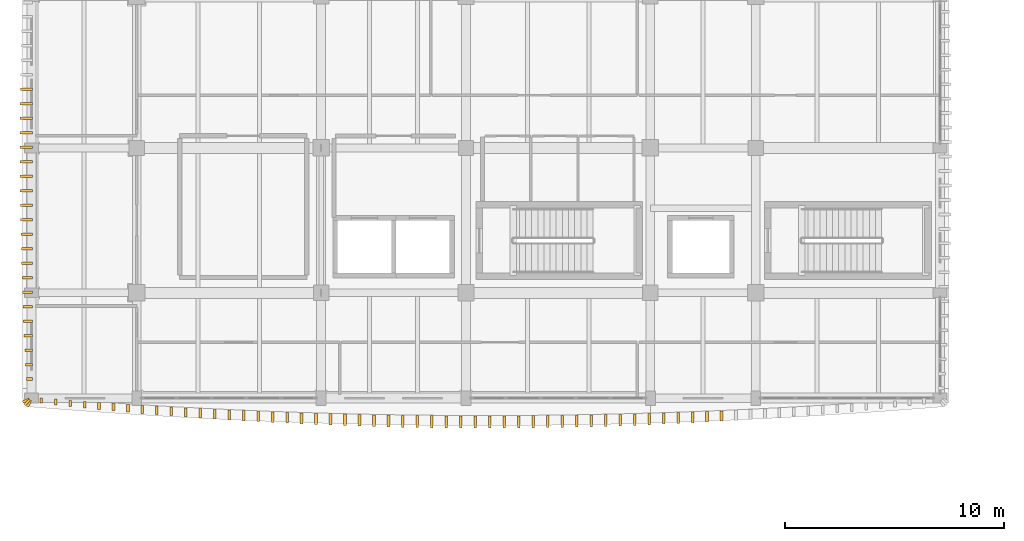
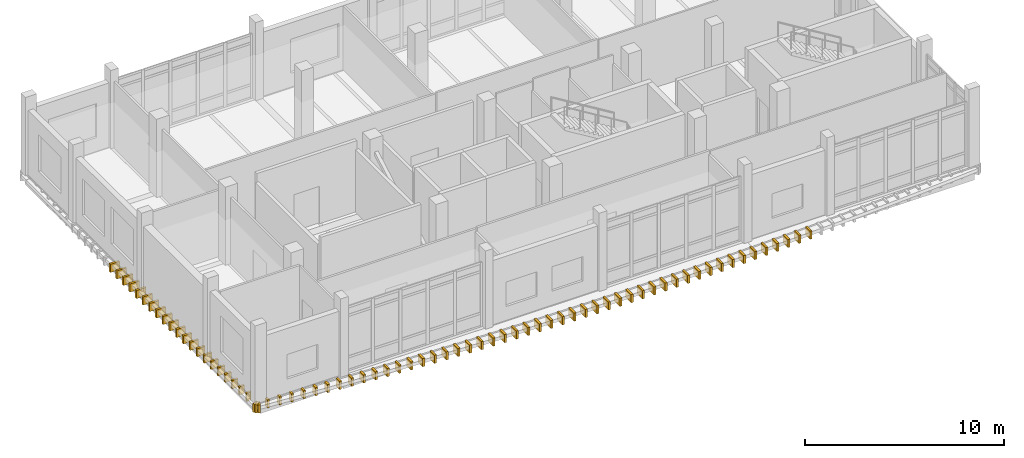
# One storey, part 31 of 37: 72 coverings.
"""IFC4 building model written with IfcOpenShell, lengths in metres."""

from ifc_helpers import new_model, si_unit, direction, frame, origin, origin_2d, place, context, subcontext, project, spatial, rectangle, extrude, material, layer, layer_set, type_object, element, save


model = new_model("IFC4")

# Units and contexts
model_context = context("Model", 3, precision=1e-05, world=origin(), true_north=direction((0.0, 1.0)))
body_context = subcontext(model_context, "Body", "Model", "MODEL_VIEW")
ifc_project = project(units=[si_unit("LENGTHUNIT", "METRE"), si_unit("AREAUNIT", "SQUARE_METRE"), si_unit("VOLUMEUNIT", "CUBIC_METRE"), si_unit("PLANEANGLEUNIT", "RADIAN"), si_unit("MASSUNIT", "GRAM", prefix="KILO")], contexts=[model_context])

# Site, building, storey
site_placement = place(None, origin())
site = spatial("IfcSite", under=ifc_project, at=site_placement, CompositionType="ELEMENT")
building_placement = place(site_placement, origin())
building = spatial("IfcBuilding", under=site, at=building_placement, Name="Dornvale Research Institute", CompositionType="ELEMENT")
storey_placement = place(building_placement, frame((0.0, 0.0, 29.39990234375)))
storey = spatial("IfcBuildingStorey", under=building, at=storey_placement, Name="L06", CompositionType="ELEMENT", Elevation=29.39990234375)

# Coverings
ifc_material = material(Name="Polychrome Glazed Terracotta Visor Rib Ceramic", Category="masonry")
ifc_layer = layer(ifc_material, 0.1201171875)
ifc_layer_set = layer_set([ifc_layer], Name="Polychrome Glazed Terracotta Visor Rib Ceramic")
covering_type = type_object("IfcCoveringType", Name="Covering_VisorBlade_Main", PredefinedType="CLADDING", material=ifc_layer_set)
covering_1_placement = place(storey_placement, frame((0.448486328125, 98.88720703125, -0.489990234375), z_axis=(0.0, 0.0, 1.0), x_axis=(0.0, 1.0, 0.0)))
element("IfcCovering", 1, at=covering_1_placement, inside=storey, type_object=covering_type, Name="L06 V5 canted glazed terracotta visor blade #991", PredefinedType="CLADDING", context=body_context, shape_type="SweptSolid", body=[
    extrude(rectangle(XDim=0.235107421875, YDim=0.1201171875, at=origin_2d()), origin(), (0.0, 0.0, 1.0), 0.5),
])
covering_2_placement = place(storey_placement, frame((1.106689453125, 98.8251953125, -0.489990234375), z_axis=(0.0, 0.0, 1.0), x_axis=(0.0, 1.0, 0.0)))
element("IfcCovering", 2, at=covering_2_placement, inside=storey, type_object=covering_type, Name="L06 V5 canted glazed terracotta visor blade #992", PredefinedType="CLADDING", context=body_context, shape_type="SweptSolid", body=[
    extrude(rectangle(XDim=0.2548828125, YDim=0.1201171875, at=origin_2d()), origin(), (0.0, 0.0, 1.0), 0.5),
])
covering_3_placement = place(storey_placement, frame((1.7646484375, 98.763671875, -0.489990234375), z_axis=(0.0, 0.0, 1.0), x_axis=(0.0, 1.0, 0.0)))
element("IfcCovering", 3, at=covering_3_placement, inside=storey, type_object=covering_type, Name="L06 V5 canted glazed terracotta visor blade #993", PredefinedType="CLADDING", context=body_context, shape_type="SweptSolid", body=[
    extrude(rectangle(XDim=0.27587890625, YDim=0.1201171875, at=origin_2d()), origin(), (0.0, 0.0, 1.0), 0.5),
])
covering_4_placement = place(storey_placement, frame((2.4228515625, 98.70654296875, -0.489990234375), z_axis=(0.0, 0.0, 1.0), x_axis=(0.0, 1.0, 0.0)))
element("IfcCovering", 4, at=covering_4_placement, inside=storey, type_object=covering_type, Name="L06 V5 canted glazed terracotta visor blade #994", PredefinedType="CLADDING", context=body_context, shape_type="SweptSolid", body=[
    extrude(rectangle(XDim=0.294921875, YDim=0.1201171875, at=origin_2d()), origin(), (0.0, 0.0, 1.0), 0.5),
])
covering_5_placement = place(storey_placement, frame((3.0810546875, 98.6494140625, -0.489990234375), z_axis=(0.0, 0.0, 1.0), x_axis=(0.0, 1.0, 0.0)))
element("IfcCovering", 5, at=covering_5_placement, inside=storey, type_object=covering_type, Name="L06 V5 canted glazed terracotta visor blade #995", PredefinedType="CLADDING", context=body_context, shape_type="SweptSolid", body=[
    extrude(rectangle(XDim=0.31396484375, YDim=0.1201171875, at=origin_2d()), origin(), (0.0, 0.0, 1.0), 0.5),
])
covering_6_placement = place(storey_placement, frame((3.739501953125, 98.595703125, -0.489990234375), z_axis=(0.0, 0.0, 1.0), x_axis=(0.0, 1.0, 0.0)))
element("IfcCovering", 6, at=covering_6_placement, inside=storey, type_object=covering_type, Name="L06 V5 canted glazed terracotta visor blade #996", PredefinedType="CLADDING", context=body_context, shape_type="SweptSolid", body=[
    extrude(rectangle(XDim=0.33203125, YDim=0.1201171875, at=origin_2d()), origin(), (0.0, 0.0, 1.0), 0.5),
])
covering_7_placement = place(storey_placement, frame((4.398193359375, 98.5439453125, -0.489990234375), z_axis=(0.0, 0.0, 1.0), x_axis=(0.0, 1.0, 0.0)))
element("IfcCovering", 7, at=covering_7_placement, inside=storey, type_object=covering_type, Name="L06 V5 canted glazed terracotta visor blade #997", PredefinedType="CLADDING", context=body_context, shape_type="SweptSolid", body=[
    extrude(rectangle(XDim=0.34912109375, YDim=0.1201171875, at=origin_2d()), origin(), (0.0, 0.0, 1.0), 0.5),
])
covering_8_placement = place(storey_placement, frame((5.056884765625, 98.49267578125, -0.489990234375), z_axis=(0.0, 0.0, 1.0), x_axis=(0.0, 1.0, 0.0)))
element("IfcCovering", 8, at=covering_8_placement, inside=storey, type_object=covering_type, Name="L06 V5 canted glazed terracotta visor blade #998", PredefinedType="CLADDING", context=body_context, shape_type="SweptSolid", body=[
    extrude(rectangle(XDim=0.365966796875, YDim=0.1201171875, at=origin_2d()), origin(), (0.0, 0.0, 1.0), 0.5),
])
covering_9_placement = place(storey_placement, frame((5.7158203125, 98.44580078125, -0.489990234375), z_axis=(0.0, 0.0, 1.0), x_axis=(0.0, 1.0, 0.0)))
element("IfcCovering", 9, at=covering_9_placement, inside=storey, type_object=covering_type, Name="L06 V5 canted glazed terracotta visor blade #999", PredefinedType="CLADDING", context=body_context, shape_type="SweptSolid", body=[
    extrude(rectangle(XDim=0.382080078125, YDim=0.1201171875, at=origin_2d()), origin(), (0.0, 0.0, 1.0), 0.5),
])
covering_10_placement = place(storey_placement, frame((6.37451171875, 98.3994140625, -0.489990234375), z_axis=(0.0, 0.0, 1.0), x_axis=(0.0, 1.0, 0.0)))
element("IfcCovering", 10, at=covering_10_placement, inside=storey, type_object=covering_type, Name="L06 V5 canted glazed terracotta visor blade #1000", PredefinedType="CLADDING", context=body_context, shape_type="SweptSolid", body=[
    extrude(rectangle(XDim=0.39697265625, YDim=0.1201171875, at=origin_2d()), origin(), (0.0, 0.0, 1.0), 0.5),
])
covering_11_placement = place(storey_placement, frame((7.033447265625, 98.35546875, -0.489990234375), z_axis=(0.0, 0.0, 1.0), x_axis=(0.0, 1.0, 0.0)))
element("IfcCovering", 11, at=covering_11_placement, inside=storey, type_object=covering_type, Name="L06 V5 canted glazed terracotta visor blade #1001", PredefinedType="CLADDING", context=body_context, shape_type="SweptSolid", body=[
    extrude(rectangle(XDim=0.412109375, YDim=0.1201171875, at=origin_2d()), origin(), (0.0, 0.0, 1.0), 0.5),
])
covering_12_placement = place(storey_placement, frame((7.692626953125, 98.31396484375, -0.489990234375), z_axis=(0.0, 0.0, 1.0), x_axis=(0.0, 1.0, 0.0)))
element("IfcCovering", 12, at=covering_12_placement, inside=storey, type_object=covering_type, Name="L06 V5 canted glazed terracotta visor blade #1002", PredefinedType="CLADDING", context=body_context, shape_type="SweptSolid", body=[
    extrude(rectangle(XDim=0.426025390625, YDim=0.1201171875, at=origin_2d()), origin(), (0.0, 0.0, 1.0), 0.5),
])
covering_13_placement = place(storey_placement, frame((8.351806640625, 98.273193359375, -0.489990234375), z_axis=(0.0, 0.0, 1.0), x_axis=(0.0, 1.0, 0.0)))
element("IfcCovering", 13, at=covering_13_placement, inside=storey, type_object=covering_type, Name="L06 V5 canted glazed terracotta visor blade #1003", PredefinedType="CLADDING", context=body_context, shape_type="SweptSolid", body=[
    extrude(rectangle(XDim=0.43896484375, YDim=0.1201171875, at=origin_2d()), origin(), (0.0, 0.0, 1.0), 0.5),
])
covering_14_placement = place(storey_placement, frame((9.010986328125, 98.236328125, -0.489990234375), z_axis=(0.0, 0.0, 1.0), x_axis=(0.0, 1.0, 0.0)))
element("IfcCovering", 14, at=covering_14_placement, inside=storey, type_object=covering_type, Name="L06 V5 canted glazed terracotta visor blade #1004", PredefinedType="CLADDING", context=body_context, shape_type="SweptSolid", body=[
    extrude(rectangle(XDim=0.451904296875, YDim=0.1201171875, at=origin_2d()), origin(), (0.0, 0.0, 1.0), 0.5),
])
covering_15_placement = place(storey_placement, frame((9.67041015625, 98.199951171875, -0.489990234375), z_axis=(0.0, 0.0, 1.0), x_axis=(0.0, 1.0, 0.0)))
element("IfcCovering", 15, at=covering_15_placement, inside=storey, type_object=covering_type, Name="L06 V5 canted glazed terracotta visor blade #1005", PredefinedType="CLADDING", context=body_context, shape_type="SweptSolid", body=[
    extrude(rectangle(XDim=0.464111328125, YDim=0.1201171875, at=origin_2d()), origin(), (0.0, 0.0, 1.0), 0.5),
])
covering_16_placement = place(storey_placement, frame((10.32958984375, 98.166748046875, -0.489990234375), z_axis=(0.0, 0.0, 1.0), x_axis=(0.0, 1.0, 0.0)))
element("IfcCovering", 16, at=covering_16_placement, inside=storey, type_object=covering_type, Name="L06 V5 canted glazed terracotta visor blade #1006", PredefinedType="CLADDING", context=body_context, shape_type="SweptSolid", body=[
    extrude(rectangle(XDim=0.47509765625, YDim=0.1201171875, at=origin_2d()), origin(), (0.0, 0.0, 1.0), 0.5),
])
covering_17_placement = place(storey_placement, frame((10.9892578125, 98.1357421875, -0.489990234375), z_axis=(0.0, 0.0, 1.0), x_axis=(0.0, 1.0, 0.0)))
element("IfcCovering", 17, at=covering_17_placement, inside=storey, type_object=covering_type, Name="L06 V5 canted glazed terracotta visor blade #1007", PredefinedType="CLADDING", context=body_context, shape_type="SweptSolid", body=[
    extrude(rectangle(XDim=0.485107421875, YDim=0.1201171875, at=origin_2d()), origin(), (0.0, 0.0, 1.0), 0.5),
])
covering_18_placement = place(storey_placement, frame((11.648681640625, 98.105224609375, -0.489990234375), z_axis=(0.0, 0.0, 1.0), x_axis=(0.0, 1.0, 0.0)))
element("IfcCovering", 18, at=covering_18_placement, inside=storey, type_object=covering_type, Name="L06 V5 canted glazed terracotta visor blade #1008", PredefinedType="CLADDING", context=body_context, shape_type="SweptSolid", body=[
    extrude(rectangle(XDim=0.4951171875, YDim=0.1201171875, at=origin_2d()), origin(), (0.0, 0.0, 1.0), 0.5),
])
covering_19_placement = place(storey_placement, frame((12.308349609375, 98.0791015625, -0.489990234375), z_axis=(0.0, 0.0, 1.0), x_axis=(0.0, 1.0, 0.0)))
element("IfcCovering", 19, at=covering_19_placement, inside=storey, type_object=covering_type, Name="L06 V5 canted glazed terracotta visor blade #1009", PredefinedType="CLADDING", context=body_context, shape_type="SweptSolid", body=[
    extrude(rectangle(XDim=0.50390625, YDim=0.1201171875, at=origin_2d()), origin(), (0.0, 0.0, 1.0), 0.5),
])
covering_20_placement = place(storey_placement, frame((12.968017578125, 98.052978515625, -0.489990234375), z_axis=(0.0, 0.0, 1.0), x_axis=(0.0, 1.0, 0.0)))
element("IfcCovering", 20, at=covering_20_placement, inside=storey, type_object=covering_type, Name="L06 V5 canted glazed terracotta visor blade #1010", PredefinedType="CLADDING", context=body_context, shape_type="SweptSolid", body=[
    extrude(rectangle(XDim=0.512939453125, YDim=0.1201171875, at=origin_2d()), origin(), (0.0, 0.0, 1.0), 0.5),
])
covering_21_placement = place(storey_placement, frame((13.627685546875, 98.0302734375, -0.489990234375), z_axis=(0.0, 0.0, 1.0), x_axis=(0.0, 1.0, 0.0)))
element("IfcCovering", 21, at=covering_21_placement, inside=storey, type_object=covering_type, Name="L06 V5 canted glazed terracotta visor blade #1011", PredefinedType="CLADDING", context=body_context, shape_type="SweptSolid", body=[
    extrude(rectangle(XDim=0.52001953125, YDim=0.1201171875, at=origin_2d()), origin(), (0.0, 0.0, 1.0), 0.5),
])
covering_22_placement = place(storey_placement, frame((14.28759765625, 98.00927734375, -0.489990234375), z_axis=(0.0, 0.0, 1.0), x_axis=(0.0, 1.0, 0.0)))
element("IfcCovering", 22, at=covering_22_placement, inside=storey, type_object=covering_type, Name="L06 V5 canted glazed terracotta visor blade #1012", PredefinedType="CLADDING", context=body_context, shape_type="SweptSolid", body=[
    extrude(rectangle(XDim=0.527099609375, YDim=0.1201171875, at=origin_2d()), origin(), (0.0, 0.0, 1.0), 0.5),
])
covering_23_placement = place(storey_placement, frame((14.947265625, 97.98876953125, -0.489990234375), z_axis=(0.0, 0.0, 1.0), x_axis=(0.0, 1.0, 0.0)))
element("IfcCovering", 23, at=covering_23_placement, inside=storey, type_object=covering_type, Name="L06 V5 canted glazed terracotta visor blade #1013", PredefinedType="CLADDING", context=body_context, shape_type="SweptSolid", body=[
    extrude(rectangle(XDim=0.533935546875, YDim=0.1201171875, at=origin_2d()), origin(), (0.0, 0.0, 1.0), 0.5),
])
covering_24_placement = place(storey_placement, frame((15.607177734375, 97.973388671875, -0.489990234375), z_axis=(0.0, 0.0, 1.0), x_axis=(0.0, 1.0, 0.0)))
element("IfcCovering", 24, at=covering_24_placement, inside=storey, type_object=covering_type, Name="L06 V5 canted glazed terracotta visor blade #1014", PredefinedType="CLADDING", context=body_context, shape_type="SweptSolid", body=[
    extrude(rectangle(XDim=0.5390625, YDim=0.1201171875, at=origin_2d()), origin(), (0.0, 0.0, 1.0), 0.5),
])
covering_25_placement = place(storey_placement, frame((16.26708984375, 97.957763671875, -0.489990234375), z_axis=(0.0, 0.0, 1.0), x_axis=(0.0, 1.0, 0.0)))
element("IfcCovering", 25, at=covering_25_placement, inside=storey, type_object=covering_type, Name="L06 V5 canted glazed terracotta visor blade #1015", PredefinedType="CLADDING", context=body_context, shape_type="SweptSolid", body=[
    extrude(rectangle(XDim=0.5439453125, YDim=0.1201171875, at=origin_2d()), origin(), (0.0, 0.0, 1.0), 0.5),
])
covering_26_placement = place(storey_placement, frame((16.927001953125, 97.944580078125, -0.489990234375), z_axis=(0.0, 0.0, 1.0), x_axis=(0.0, 1.0, 0.0)))
element("IfcCovering", 26, at=covering_26_placement, inside=storey, type_object=covering_type, Name="L06 V5 canted glazed terracotta visor blade #1016", PredefinedType="CLADDING", context=body_context, shape_type="SweptSolid", body=[
    extrude(rectangle(XDim=0.549072265625, YDim=0.1201171875, at=origin_2d()), origin(), (0.0, 0.0, 1.0), 0.5),
])
covering_27_placement = place(storey_placement, frame((17.5869140625, 97.9345703125, -0.489990234375), z_axis=(0.0, 0.0, 1.0), x_axis=(0.0, 1.0, 0.0)))
element("IfcCovering", 27, at=covering_27_placement, inside=storey, type_object=covering_type, Name="L06 V5 canted glazed terracotta visor blade #1017", PredefinedType="CLADDING", context=body_context, shape_type="SweptSolid", body=[
    extrude(rectangle(XDim=0.552001953125, YDim=0.1201171875, at=origin_2d()), origin(), (0.0, 0.0, 1.0), 0.5),
])
covering_28_placement = place(storey_placement, frame((18.246826171875, 97.924560546875, -0.489990234375), z_axis=(0.0, 0.0, 1.0), x_axis=(0.0, 1.0, 0.0)))
element("IfcCovering", 28, at=covering_28_placement, inside=storey, type_object=covering_type, Name="L06 V5 canted glazed terracotta visor blade #1018", PredefinedType="CLADDING", context=body_context, shape_type="SweptSolid", body=[
    extrude(rectangle(XDim=0.554931640625, YDim=0.1201171875, at=origin_2d()), origin(), (0.0, 0.0, 1.0), 0.5),
])
covering_29_placement = place(storey_placement, frame((18.90673828125, 97.919189453125, -0.489990234375), z_axis=(0.0, 0.0, 1.0), x_axis=(0.0, 1.0, 0.0)))
element("IfcCovering", 29, at=covering_29_placement, inside=storey, type_object=covering_type, Name="L06 V5 canted glazed terracotta visor blade #1019", PredefinedType="CLADDING", context=body_context, shape_type="SweptSolid", body=[
    extrude(rectangle(XDim=0.556884765625, YDim=0.1201171875, at=origin_2d()), origin(), (0.0, 0.0, 1.0), 0.5),
])
covering_30_placement = place(storey_placement, frame((19.56689453125, 97.913818359375, -0.489990234375), z_axis=(0.0, 0.0, 1.0), x_axis=(0.0, 1.0, 0.0)))
element("IfcCovering", 30, at=covering_30_placement, inside=storey, type_object=covering_type, Name="L06 V5 canted glazed terracotta visor blade #1020", PredefinedType="CLADDING", context=body_context, shape_type="SweptSolid", body=[
    extrude(rectangle(XDim=0.55908203125, YDim=0.1201171875, at=origin_2d()), origin(), (0.0, 0.0, 1.0), 0.5),
])
for number, where, z_axis, x_axis, name in (
    (31, (20.226806640625, 97.911376953125, -0.489990234375), (0.0, 0.0, 1.0), (0.0, 1.0, 0.0), "L06 V5 canted glazed terracotta visor blade #1021"),
    (32, (20.88671875, 97.911376953125, -0.489990234375), (0.0, 0.0, 1.0), (0.0, 1.0, 0.0), "L06 V5 canted glazed terracotta visor blade #1022"),
):
    element("IfcCovering", number, at=place(storey_placement, frame(where, z_axis=z_axis, x_axis=x_axis)), inside=storey, type_object=covering_type, Name=name, PredefinedType="CLADDING", context=body_context, shape_type="SweptSolid", body=[
        extrude(rectangle(XDim=0.56005859375, YDim=0.1201171875, at=origin_2d()), origin(), (0.0, 0.0, 1.0), 0.5),
    ])
covering_31_placement = place(storey_placement, frame((21.546875, 97.912109375, -0.489990234375), z_axis=(0.0, 0.0, 1.0), x_axis=(0.0, 1.0, 0.0)))
element("IfcCovering", 33, at=covering_31_placement, inside=storey, type_object=covering_type, Name="L06 V5 canted glazed terracotta visor blade #1023", PredefinedType="CLADDING", context=body_context, shape_type="SweptSolid", body=[
    extrude(rectangle(XDim=0.55908203125, YDim=0.1201171875, at=origin_2d()), origin(), (0.0, 0.0, 1.0), 0.5),
])
covering_32_placement = place(storey_placement, frame((22.206787109375, 97.916748046875, -0.489990234375), z_axis=(0.0, 0.0, 1.0), x_axis=(0.0, 1.0, 0.0)))
element("IfcCovering", 34, at=covering_32_placement, inside=storey, type_object=covering_type, Name="L06 V5 canted glazed terracotta visor blade #1024", PredefinedType="CLADDING", context=body_context, shape_type="SweptSolid", body=[
    extrude(rectangle(XDim=0.55810546875, YDim=0.1201171875, at=origin_2d()), origin(), (0.0, 0.0, 1.0), 0.5),
])
covering_33_placement = place(storey_placement, frame((22.86669921875, 97.922119140625, -0.489990234375), z_axis=(0.0, 0.0, 1.0), x_axis=(0.0, 1.0, 0.0)))
element("IfcCovering", 35, at=covering_33_placement, inside=storey, type_object=covering_type, Name="L06 V5 canted glazed terracotta visor blade #1025", PredefinedType="CLADDING", context=body_context, shape_type="SweptSolid", body=[
    extrude(rectangle(XDim=0.555908203125, YDim=0.1201171875, at=origin_2d()), origin(), (0.0, 0.0, 1.0), 0.5),
])
covering_34_placement = place(storey_placement, frame((23.526611328125, 97.9296875, -0.489990234375), z_axis=(0.0, 0.0, 1.0), x_axis=(0.0, 1.0, 0.0)))
element("IfcCovering", 36, at=covering_34_placement, inside=storey, type_object=covering_type, Name="L06 V5 canted glazed terracotta visor blade #1026", PredefinedType="CLADDING", context=body_context, shape_type="SweptSolid", body=[
    extrude(rectangle(XDim=0.553955078125, YDim=0.1201171875, at=origin_2d()), origin(), (0.0, 0.0, 1.0), 0.5),
])
covering_35_placement = place(storey_placement, frame((24.186767578125, 97.9404296875, -0.489990234375), z_axis=(0.0, 0.0, 1.0), x_axis=(0.0, 1.0, 0.0)))
element("IfcCovering", 37, at=covering_35_placement, inside=storey, type_object=covering_type, Name="L06 V5 canted glazed terracotta visor blade #1027", PredefinedType="CLADDING", context=body_context, shape_type="SweptSolid", body=[
    extrude(rectangle(XDim=0.550048828125, YDim=0.1201171875, at=origin_2d()), origin(), (0.0, 0.0, 1.0), 0.5),
])
covering_36_placement = place(storey_placement, frame((24.8466796875, 97.951171875, -0.489990234375), z_axis=(0.0, 0.0, 1.0), x_axis=(0.0, 1.0, 0.0)))
element("IfcCovering", 38, at=covering_36_placement, inside=storey, type_object=covering_type, Name="L06 V5 canted glazed terracotta visor blade #1028", PredefinedType="CLADDING", context=body_context, shape_type="SweptSolid", body=[
    extrude(rectangle(XDim=0.5458984375, YDim=0.1201171875, at=origin_2d()), origin(), (0.0, 0.0, 1.0), 0.5),
])
covering_37_placement = place(storey_placement, frame((25.506591796875, 97.966064453125, -0.489990234375), z_axis=(0.0, 0.0, 1.0), x_axis=(0.0, 1.0, 0.0)))
element("IfcCovering", 39, at=covering_37_placement, inside=storey, type_object=covering_type, Name="L06 V5 canted glazed terracotta visor blade #1029", PredefinedType="CLADDING", context=body_context, shape_type="SweptSolid", body=[
    extrude(rectangle(XDim=0.5419921875, YDim=0.1201171875, at=origin_2d()), origin(), (0.0, 0.0, 1.0), 0.5),
])
covering_38_placement = place(storey_placement, frame((26.16650390625, 97.982177734375, -0.489990234375), z_axis=(0.0, 0.0, 1.0), x_axis=(0.0, 1.0, 0.0)))
element("IfcCovering", 40, at=covering_38_placement, inside=storey, type_object=covering_type, Name="L06 V5 canted glazed terracotta visor blade #1030", PredefinedType="CLADDING", context=body_context, shape_type="SweptSolid", body=[
    extrude(rectangle(XDim=0.535888671875, YDim=0.1201171875, at=origin_2d()), origin(), (0.0, 0.0, 1.0), 0.5),
])
covering_39_placement = place(storey_placement, frame((26.826171875, 98.000244140625, -0.489990234375), z_axis=(0.0, 0.0, 1.0), x_axis=(0.0, 1.0, 0.0)))
element("IfcCovering", 41, at=covering_39_placement, inside=storey, type_object=covering_type, Name="L06 V5 canted glazed terracotta visor blade #1031", PredefinedType="CLADDING", context=body_context, shape_type="SweptSolid", body=[
    extrude(rectangle(XDim=0.530029296875, YDim=0.1201171875, at=origin_2d()), origin(), (0.0, 0.0, 1.0), 0.5),
])
covering_40_placement = place(storey_placement, frame((27.48583984375, 98.020751953125, -0.489990234375), z_axis=(0.0, 0.0, 1.0), x_axis=(0.0, 1.0, 0.0)))
element("IfcCovering", 42, at=covering_40_placement, inside=storey, type_object=covering_type, Name="L06 V5 canted glazed terracotta visor blade #1032", PredefinedType="CLADDING", context=body_context, shape_type="SweptSolid", body=[
    extrude(rectangle(XDim=0.52392578125, YDim=0.1201171875, at=origin_2d()), origin(), (0.0, 0.0, 1.0), 0.5),
])
covering_41_placement = place(storey_placement, frame((28.145751953125, 98.0419921875, -0.489990234375), z_axis=(0.0, 0.0, 1.0), x_axis=(0.0, 1.0, 0.0)))
element("IfcCovering", 43, at=covering_41_placement, inside=storey, type_object=covering_type, Name="L06 V5 canted glazed terracotta visor blade #1033", PredefinedType="CLADDING", context=body_context, shape_type="SweptSolid", body=[
    extrude(rectangle(XDim=0.51611328125, YDim=0.1201171875, at=origin_2d()), origin(), (0.0, 0.0, 1.0), 0.5),
])
covering_42_placement = place(storey_placement, frame((28.805419921875, 98.067626953125, -0.489990234375), z_axis=(0.0, 0.0, 1.0), x_axis=(0.0, 1.0, 0.0)))
element("IfcCovering", 44, at=covering_42_placement, inside=storey, type_object=covering_type, Name="L06 V5 canted glazed terracotta visor blade #1034", PredefinedType="CLADDING", context=body_context, shape_type="SweptSolid", body=[
    extrude(rectangle(XDim=0.508056640625, YDim=0.1201171875, at=origin_2d()), origin(), (0.0, 0.0, 1.0), 0.5),
])
covering_43_placement = place(storey_placement, frame((29.465087890625, 98.09375, -0.489990234375), z_axis=(0.0, 0.0, 1.0), x_axis=(0.0, 1.0, 0.0)))
element("IfcCovering", 45, at=covering_43_placement, inside=storey, type_object=covering_type, Name="L06 V5 canted glazed terracotta visor blade #1035", PredefinedType="CLADDING", context=body_context, shape_type="SweptSolid", body=[
    extrude(rectangle(XDim=0.4990234375, YDim=0.1201171875, at=origin_2d()), origin(), (0.0, 0.0, 1.0), 0.5),
])
covering_44_placement = place(storey_placement, frame((30.12451171875, 98.1220703125, -0.489990234375), z_axis=(0.0, 0.0, 1.0), x_axis=(0.0, 1.0, 0.0)))
element("IfcCovering", 46, at=covering_44_placement, inside=storey, type_object=covering_type, Name="L06 V5 canted glazed terracotta visor blade #1036", PredefinedType="CLADDING", context=body_context, shape_type="SweptSolid", body=[
    extrude(rectangle(XDim=0.489990234375, YDim=0.1201171875, at=origin_2d()), origin(), (0.0, 0.0, 1.0), 0.5),
])
covering_45_placement = place(storey_placement, frame((30.7841796875, 98.153564453125, -0.489990234375), z_axis=(0.0, 0.0, 1.0), x_axis=(0.0, 1.0, 0.0)))
element("IfcCovering", 47, at=covering_45_placement, inside=storey, type_object=covering_type, Name="L06 V5 canted glazed terracotta visor blade #1037", PredefinedType="CLADDING", context=body_context, shape_type="SweptSolid", body=[
    extrude(rectangle(XDim=0.47900390625, YDim=0.1201171875, at=origin_2d()), origin(), (0.0, 0.0, 1.0), 0.5),
])
covering_46_placement = place(storey_placement, frame((31.443603515625, 98.1845703125, -0.489990234375), z_axis=(0.0, 0.0, 1.0), x_axis=(0.0, 1.0, 0.0)))
element("IfcCovering", 48, at=covering_46_placement, inside=storey, type_object=covering_type, Name="L06 V5 canted glazed terracotta visor blade #1038", PredefinedType="CLADDING", context=body_context, shape_type="SweptSolid", body=[
    extrude(rectangle(XDim=0.468994140625, YDim=0.1201171875, at=origin_2d()), origin(), (0.0, 0.0, 1.0), 0.5),
])
covering_47_placement = place(storey_placement, frame((-0.23193359375, 113.070068359375, -0.489990234375), z_axis=(0.0, 0.0, 1.0), x_axis=(1.0, 0.0, 0.0)))
element("IfcCovering", 49, at=covering_47_placement, inside=storey, type_object=covering_type, Name="L06 V5 canted glazed terracotta visor blade #1162", PredefinedType="CLADDING", context=body_context, shape_type="SweptSolid", body=[
    extrude(rectangle(XDim=0.5439453125, YDim=0.1201171875, at=origin_2d()), origin(), (0.0, 0.0, 1.0), 0.5),
])
covering_48_placement = place(storey_placement, frame((-0.235595703125, 112.409912109375, -0.489990234375), z_axis=(0.0, 0.0, 1.0), x_axis=(1.0, 0.0, 0.0)))
element("IfcCovering", 50, at=covering_48_placement, inside=storey, type_object=covering_type, Name="L06 V5 canted glazed terracotta visor blade #1163", PredefinedType="CLADDING", context=body_context, shape_type="SweptSolid", body=[
    extrude(rectangle(XDim=0.551025390625, YDim=0.1201171875, at=origin_2d()), origin(), (0.0, 0.0, 1.0), 0.5),
])
covering_49_placement = place(storey_placement, frame((-0.238037109375, 111.75, -0.489990234375), z_axis=(0.0, 0.0, 1.0), x_axis=(1.0, 0.0, 0.0)))
element("IfcCovering", 51, at=covering_49_placement, inside=storey, type_object=covering_type, Name="L06 V5 canted glazed terracotta visor blade #1164", PredefinedType="CLADDING", context=body_context, shape_type="SweptSolid", body=[
    extrude(rectangle(XDim=0.555908203125, YDim=0.1201171875, at=origin_2d()), origin(), (0.0, 0.0, 1.0), 0.5),
])
covering_50_placement = place(storey_placement, frame((-0.239501953125, 111.090087890625, -0.489990234375), z_axis=(0.0, 0.0, 1.0), x_axis=(1.0, 0.0, 0.0)))
element("IfcCovering", 52, at=covering_50_placement, inside=storey, type_object=covering_type, Name="L06 V5 canted glazed terracotta visor blade #1165", PredefinedType="CLADDING", context=body_context, shape_type="SweptSolid", body=[
    extrude(rectangle(XDim=0.55908203125, YDim=0.1201171875, at=origin_2d()), origin(), (0.0, 0.0, 1.0), 0.5),
])
covering_51_placement = place(storey_placement, frame((-0.239990234375, 110.429931640625, -0.489990234375), z_axis=(0.0, 0.0, 1.0), x_axis=(1.0, 0.0, 0.0)))
element("IfcCovering", 53, at=covering_51_placement, inside=storey, type_object=covering_type, Name="L06 V5 canted glazed terracotta visor blade #1166", PredefinedType="CLADDING", context=body_context, shape_type="SweptSolid", body=[
    extrude(rectangle(XDim=0.56005859375, YDim=0.1201171875, at=origin_2d()), origin(), (0.0, 0.0, 1.0), 0.5),
])
covering_52_placement = place(storey_placement, frame((-0.239013671875, 109.77001953125, -0.489990234375), z_axis=(0.0, 0.0, 1.0), x_axis=(1.0, 0.0, 0.0)))
element("IfcCovering", 54, at=covering_52_placement, inside=storey, type_object=covering_type, Name="L06 V5 canted glazed terracotta visor blade #1167", PredefinedType="CLADDING", context=body_context, shape_type="SweptSolid", body=[
    extrude(rectangle(XDim=0.55810546875, YDim=0.1201171875, at=origin_2d()), origin(), (0.0, 0.0, 1.0), 0.5),
])
covering_53_placement = place(storey_placement, frame((-0.237548828125, 109.110107421875, -0.489990234375), z_axis=(0.0, 0.0, 1.0), x_axis=(1.0, 0.0, 0.0)))
element("IfcCovering", 55, at=covering_53_placement, inside=storey, type_object=covering_type, Name="L06 V5 canted glazed terracotta visor blade #1168", PredefinedType="CLADDING", context=body_context, shape_type="SweptSolid", body=[
    extrude(rectangle(XDim=0.554931640625, YDim=0.1201171875, at=origin_2d()), origin(), (0.0, 0.0, 1.0), 0.5),
])
covering_54_placement = place(storey_placement, frame((-0.234619140625, 108.449951171875, -0.489990234375), z_axis=(0.0, 0.0, 1.0), x_axis=(1.0, 0.0, 0.0)))
element("IfcCovering", 56, at=covering_54_placement, inside=storey, type_object=covering_type, Name="L06 V5 canted glazed terracotta visor blade #1169", PredefinedType="CLADDING", context=body_context, shape_type="SweptSolid", body=[
    extrude(rectangle(XDim=0.549072265625, YDim=0.1201171875, at=origin_2d()), origin(), (0.0, 0.0, 1.0), 0.5),
])
covering_55_placement = place(storey_placement, frame((-0.23046875, 107.7900390625, -0.489990234375), z_axis=(0.0, 0.0, 1.0), x_axis=(1.0, 0.0, 0.0)))
element("IfcCovering", 57, at=covering_55_placement, inside=storey, type_object=covering_type, Name="L06 V5 canted glazed terracotta visor blade #1170", PredefinedType="CLADDING", context=body_context, shape_type="SweptSolid", body=[
    extrude(rectangle(XDim=0.541015625, YDim=0.1201171875, at=origin_2d()), origin(), (0.0, 0.0, 1.0), 0.5),
])
covering_56_placement = place(storey_placement, frame((-0.22509765625, 107.1298828125, -0.489990234375), z_axis=(0.0, 0.0, 1.0), x_axis=(1.0, 0.0, 0.0)))
element("IfcCovering", 58, at=covering_56_placement, inside=storey, type_object=covering_type, Name="L06 V5 canted glazed terracotta visor blade #1171", PredefinedType="CLADDING", context=body_context, shape_type="SweptSolid", body=[
    extrude(rectangle(XDim=0.530029296875, YDim=0.1201171875, at=origin_2d()), origin(), (0.0, 0.0, 1.0), 0.5),
])
covering_57_placement = place(storey_placement, frame((-0.218994140625, 106.469970703125, -0.489990234375), z_axis=(0.0, 0.0, 1.0), x_axis=(1.0, 0.0, 0.0)))
element("IfcCovering", 59, at=covering_57_placement, inside=storey, type_object=covering_type, Name="L06 V5 canted glazed terracotta visor blade #1172", PredefinedType="CLADDING", context=body_context, shape_type="SweptSolid", body=[
    extrude(rectangle(XDim=0.51806640625, YDim=0.1201171875, at=origin_2d()), origin(), (0.0, 0.0, 1.0), 0.5),
])
covering_58_placement = place(storey_placement, frame((-0.21142578125, 105.81005859375, -0.489990234375), z_axis=(0.0, 0.0, 1.0), x_axis=(1.0, 0.0, 0.0)))
element("IfcCovering", 60, at=covering_58_placement, inside=storey, type_object=covering_type, Name="L06 V5 canted glazed terracotta visor blade #1173", PredefinedType="CLADDING", context=body_context, shape_type="SweptSolid", body=[
    extrude(rectangle(XDim=0.5029296875, YDim=0.1201171875, at=origin_2d()), origin(), (0.0, 0.0, 1.0), 0.5),
])
covering_59_placement = place(storey_placement, frame((-0.202880859375, 105.14990234375, -0.489990234375), z_axis=(0.0, 0.0, 1.0), x_axis=(1.0, 0.0, 0.0)))
element("IfcCovering", 61, at=covering_59_placement, inside=storey, type_object=covering_type, Name="L06 V5 canted glazed terracotta visor blade #1174", PredefinedType="CLADDING", context=body_context, shape_type="SweptSolid", body=[
    extrude(rectangle(XDim=0.486083984375, YDim=0.1201171875, at=origin_2d()), origin(), (0.0, 0.0, 1.0), 0.5),
])
covering_60_placement = place(storey_placement, frame((-0.193115234375, 104.489990234375, -0.489990234375), z_axis=(0.0, 0.0, 1.0), x_axis=(1.0, 0.0, 0.0)))
element("IfcCovering", 62, at=covering_60_placement, inside=storey, type_object=covering_type, Name="L06 V5 canted glazed terracotta visor blade #1175", PredefinedType="CLADDING", context=body_context, shape_type="SweptSolid", body=[
    extrude(rectangle(XDim=0.466064453125, YDim=0.1201171875, at=origin_2d()), origin(), (0.0, 0.0, 1.0), 0.5),
])
covering_61_placement = place(storey_placement, frame((-0.1826171875, 103.830078125, -0.489990234375), z_axis=(0.0, 0.0, 1.0), x_axis=(1.0, 0.0, 0.0)))
element("IfcCovering", 63, at=covering_61_placement, inside=storey, type_object=covering_type, Name="L06 V5 canted glazed terracotta visor blade #1176", PredefinedType="CLADDING", context=body_context, shape_type="SweptSolid", body=[
    extrude(rectangle(XDim=0.445068359375, YDim=0.1201171875, at=origin_2d()), origin(), (0.0, 0.0, 1.0), 0.5),
])
covering_62_placement = place(storey_placement, frame((-0.17041015625, 103.169921875, -0.489990234375), z_axis=(0.0, 0.0, 1.0), x_axis=(1.0, 0.0, 0.0)))
element("IfcCovering", 64, at=covering_62_placement, inside=storey, type_object=covering_type, Name="L06 V5 canted glazed terracotta visor blade #1177", PredefinedType="CLADDING", context=body_context, shape_type="SweptSolid", body=[
    extrude(rectangle(XDim=0.4208984375, YDim=0.1201171875, at=origin_2d()), origin(), (0.0, 0.0, 1.0), 0.5),
])
covering_63_placement = place(storey_placement, frame((-0.157470703125, 102.510009765625, -0.489990234375), z_axis=(0.0, 0.0, 1.0), x_axis=(1.0, 0.0, 0.0)))
element("IfcCovering", 65, at=covering_63_placement, inside=storey, type_object=covering_type, Name="L06 V5 canted glazed terracotta visor blade #1178", PredefinedType="CLADDING", context=body_context, shape_type="SweptSolid", body=[
    extrude(rectangle(XDim=0.39501953125, YDim=0.1201171875, at=origin_2d()), origin(), (0.0, 0.0, 1.0), 0.5),
])
covering_64_placement = place(storey_placement, frame((-0.1435546875, 101.85009765625, -0.489990234375), z_axis=(0.0, 0.0, 1.0), x_axis=(1.0, 0.0, 0.0)))
element("IfcCovering", 66, at=covering_64_placement, inside=storey, type_object=covering_type, Name="L06 V5 canted glazed terracotta visor blade #1179", PredefinedType="CLADDING", context=body_context, shape_type="SweptSolid", body=[
    extrude(rectangle(XDim=0.366943359375, YDim=0.1201171875, at=origin_2d()), origin(), (0.0, 0.0, 1.0), 0.5),
])
covering_65_placement = place(storey_placement, frame((-0.12841796875, 101.18994140625, -0.489990234375), z_axis=(0.0, 0.0, 1.0), x_axis=(1.0, 0.0, 0.0)))
element("IfcCovering", 67, at=covering_65_placement, inside=storey, type_object=covering_type, Name="L06 V5 canted glazed terracotta visor blade #1180", PredefinedType="CLADDING", context=body_context, shape_type="SweptSolid", body=[
    extrude(rectangle(XDim=0.3369140625, YDim=0.1201171875, at=origin_2d()), origin(), (0.0, 0.0, 1.0), 0.5),
])
covering_66_placement = place(storey_placement, frame((-0.112060546875, 100.530029296875, -0.489990234375), z_axis=(0.0, 0.0, 1.0), x_axis=(1.0, 0.0, 0.0)))
element("IfcCovering", 68, at=covering_66_placement, inside=storey, type_object=covering_type, Name="L06 V5 canted glazed terracotta visor blade #1181", PredefinedType="CLADDING", context=body_context, shape_type="SweptSolid", body=[
    extrude(rectangle(XDim=0.303955078125, YDim=0.1201171875, at=origin_2d()), origin(), (0.0, 0.0, 1.0), 0.5),
])
covering_67_placement = place(storey_placement, frame((-0.094482421875, 99.8701171875, -0.489990234375), z_axis=(0.0, 0.0, 1.0), x_axis=(1.0, 0.0, 0.0)))
element("IfcCovering", 69, at=covering_67_placement, inside=storey, type_object=covering_type, Name="L06 V5 canted glazed terracotta visor blade #1182", PredefinedType="CLADDING", context=body_context, shape_type="SweptSolid", body=[
    extrude(rectangle(XDim=0.26904296875, YDim=0.1201171875, at=origin_2d()), origin(), (0.0, 0.0, 1.0), 0.5),
])
for number, where, z_axis, x_axis, name in (
    (70, (-0.24462890625, 98.885986328125, -0.489990234375), (0.0, 0.0, 1.0), (-0.906307787037, -0.422618261741, 0.0), "L06 V5 corner-wrapping visor blade #1183"),
    (71, (-0.19091796875, 98.80908203125, -0.489990234375), (0.0, 0.0, 1.0), (-0.707106781187, -0.707106781187, 0.0), "L06 V5 corner-wrapping visor blade #1184"),
    (72, (-0.114013671875, 98.75537109375, -0.489990234375), (0.0, 0.0, 1.0), (-0.422618261741, -0.906307787037, 0.0), "L06 V5 corner-wrapping visor blade #1185"),
):
    element("IfcCovering", number, at=place(storey_placement, frame(where, z_axis=z_axis, x_axis=x_axis)), inside=storey, type_object=covering_type, Name=name, PredefinedType="CLADDING", context=body_context, shape_type="SweptSolid", body=[
        extrude(rectangle(XDim=0.320068359375, YDim=0.1201171875, at=origin_2d()), origin(), (0.0, 0.0, 1.0), 0.5),
    ])

save(model, "model.ifc")
